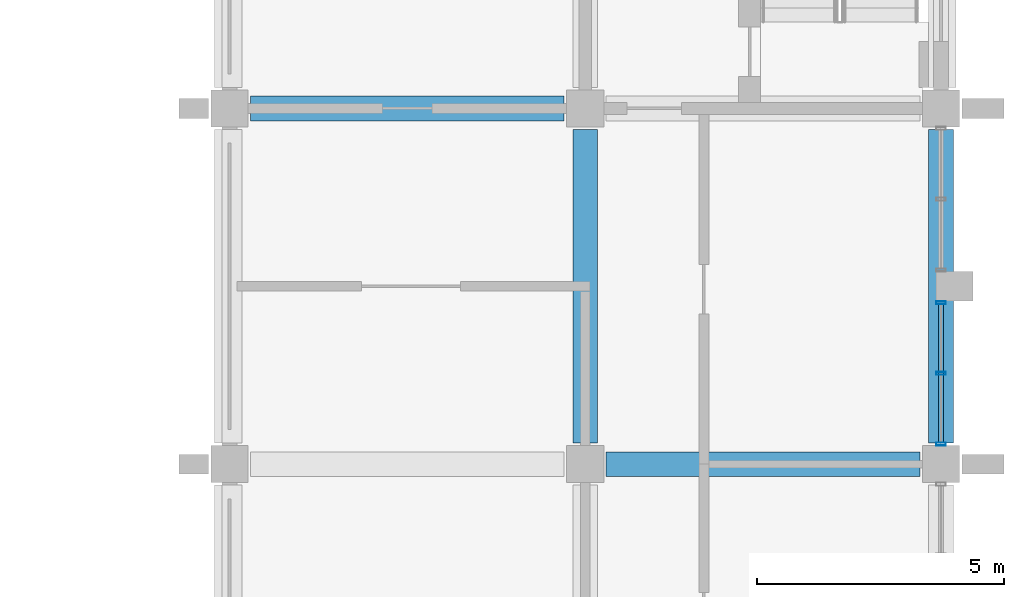
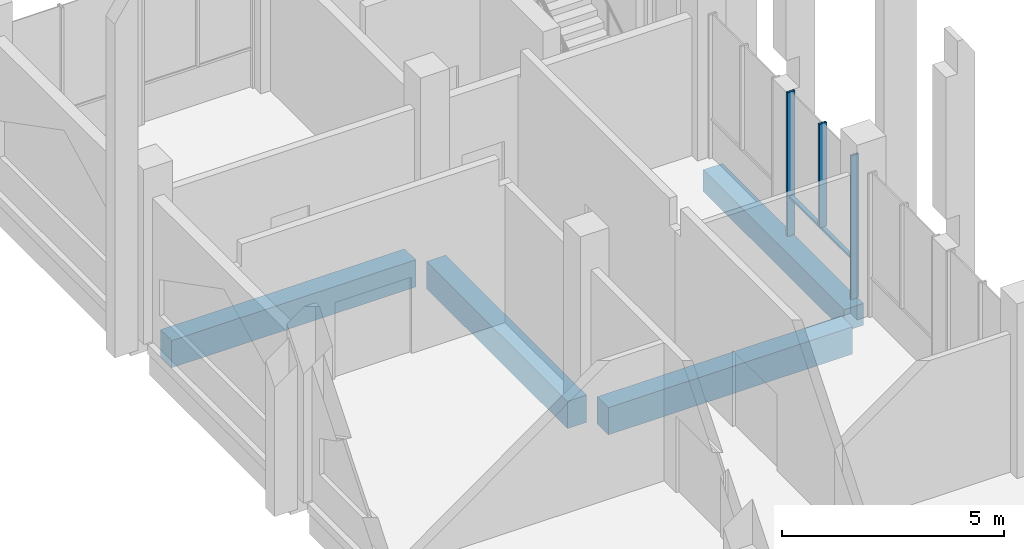
# One storey, part 21 of 40: 4 beams, 4 members, 1 element without a shape of its own.
"""IFC4 building model written with IfcOpenShell, lengths in metres."""

from ifc_helpers import new_model, si_unit, direction, frame, origin, origin_2d, place, context, subcontext, project, spatial, rectangle, hollow_rectangle, extrude, material, material_profile, profile_set, type_object, element, aggregate, save


model = new_model("IFC4")

# Units and contexts
model_context = context("Model", 3, precision=1e-05, world=origin(), true_north=direction((0.0, 1.0)))
body_context = subcontext(model_context, "Body", "Model", "MODEL_VIEW")
ifc_project = project(units=[si_unit("LENGTHUNIT", "METRE"), si_unit("AREAUNIT", "SQUARE_METRE"), si_unit("VOLUMEUNIT", "CUBIC_METRE"), si_unit("PLANEANGLEUNIT", "RADIAN"), si_unit("MASSUNIT", "GRAM", prefix="KILO")], contexts=[model_context])

# Site, building, storey
site_placement = place(None, origin())
site = spatial("IfcSite", under=ifc_project, at=site_placement, CompositionType="ELEMENT")
building_placement = place(site_placement, origin())
building = spatial("IfcBuilding", under=site, at=building_placement, Name="Silangan Lancet Faculty of Sciences", CompositionType="ELEMENT")
storey_placement = place(building_placement, frame((0.0, 0.0, 21.60009765625)))
storey = spatial("IfcBuildingStorey", under=building, at=storey_placement, Name="L04", CompositionType="ELEMENT", Elevation=21.60009765625)

# Beams
ifc_material_1 = material(Name="Concrete C40/50", Category="concrete")
ifc_material_profile_1 = material_profile(ifc_material_1, rectangle(XDim=0.5, YDim=0.60009765625, at=origin_2d()), Name="RC 500x600")
ifc_profile_set_1 = profile_set([ifc_material_profile_1], Name="Concrete C40/50")
beam_type_1 = type_object("IfcBeamType", Name="BEAM RC 500x600", PredefinedType="BEAM", material=ifc_profile_set_1)
beam_1_placement = place(storey_placement, frame((86.39990234375, 43.625, -0.550048828125), z_axis=(0.0, 1.0, 0.0), x_axis=(-1.0, 0.0, 0.0)))
element("IfcBeam", 1, at=beam_1_placement, inside=storey, type_object=beam_type_1, Name="BM-L04-13G-13H", PredefinedType="BEAM", context=body_context, shape_type="SweptSolid", body=[
    extrude(rectangle(XDim=0.5, YDim=0.60009765625, at=origin_2d()), origin(), (0.0, 0.0, 1.0), 6.35009765625),
])
ifc_material_2 = material(Name="Concrete C40/50", Category="concrete")
ifc_material_profile_2 = material_profile(ifc_material_2, rectangle(XDim=0.5, YDim=0.75, at=origin_2d()), Name="RC 500x750")
ifc_profile_set_2 = profile_set([ifc_material_profile_2], Name="Concrete C40/50")
beam_type_2 = type_object("IfcBeamType", Name="BEAM RC 500x750", PredefinedType="BEAM", material=ifc_profile_set_2)
beam_2_placement = place(storey_placement, frame((79.625, 43.199951171875, -0.625), z_axis=(1.0, 0.0, 0.0), x_axis=(0.0, 1.0, 0.0)))
element("IfcBeam", 2, at=beam_2_placement, inside=storey, type_object=beam_type_2, Name="BM-L04-12G-13G", PredefinedType="BEAM", context=body_context, shape_type="SweptSolid", body=[
    extrude(rectangle(XDim=0.5, YDim=0.75, at=origin_2d()), origin(), (0.0, 0.0, 1.0), 6.35009765625),
])
beam_3_placement = place(storey_placement, frame((72.425048828125, 50.39990234375, -0.625), z_axis=(1.0, 0.0, 0.0), x_axis=(0.0, 1.0, 0.0)))
element("IfcBeam", 3, at=beam_3_placement, inside=storey, type_object=beam_type_2, Name="BM-L04-11H-12H", PredefinedType="BEAM", context=body_context, shape_type="SweptSolid", body=[
    extrude(rectangle(XDim=0.5, YDim=0.75, at=origin_2d()), origin(), (0.0, 0.0, 1.0), 6.349853515625),
])
beam_4_placement = place(storey_placement, frame((79.199951171875, 43.625, -0.625), z_axis=(0.0, 1.0, 0.0), x_axis=(-1.0, 0.0, 0.0)))
element("IfcBeam", 4, at=beam_4_placement, inside=storey, type_object=beam_type_2, Name="BM-L04-12G-12H", PredefinedType="BEAM", context=body_context, shape_type="SweptSolid", body=[
    extrude(rectangle(XDim=0.5, YDim=0.75, at=origin_2d()), origin(), (0.0, 0.0, 1.0), 6.35009765625),
])

# Curtain wall, members
ifc_material_3 = material(Name="Aluminium framed curtain wall with insulated glass", Category="aluminium")
curtain_wall_type = type_object("IfcCurtainWallType", Name="CW1 Commons and east block glazing", PredefinedType="NOTDEFINED", material=ifc_material_3)
curtain_wall_placement = place(storey_placement, origin())
curtain_wall = element("IfcCurtainWall", 5, at=curtain_wall_placement, inside=storey, type_object=curtain_wall_type, Name="CW1 East commons L04 bay 11", PredefinedType="NOTDEFINED")
ifc_material_4 = material(Name="Aluminium 6063-T6 extrusion", Category="aluminium")
ifc_material_profile_3 = material_profile(ifc_material_4, hollow_rectangle(XDim=0.06005859375, YDim=0.199951171875, WallThickness=0.00390625, at=origin_2d()), Name="AL BOX 60x200x4")
ifc_profile_set_3 = profile_set([ifc_material_profile_3], Name="Aluminium 6063-T6 extrusion")
member_type_1 = type_object("IfcMemberType", Name="CM1 Mullion 60x200", PredefinedType="MULLION", material=ifc_profile_set_3)
member_1_placement = place(storey_placement, frame((86.39990234375, 43.60498046875, 0.0), z_axis=(0.0, 0.0, 1.0), x_axis=(0.0, 1.0, 0.0)))
member_1 = element("IfcMember", 6, at=member_1_placement, type_object=member_type_1, Name="CW1 East commons L04 bay 11 mullion 1", PredefinedType="MULLION", context=body_context, shape_type="SweptSolid", body=[
    extrude(hollow_rectangle(XDim=0.06005859375, YDim=0.199951171875, WallThickness=0.00390625, at=origin_2d()), origin(), (0.0, 0.0, 1.0), 3.949951171875),
])
member_2_placement = place(storey_placement, frame((86.39990234375, 46.469970703125, 0.0), z_axis=(0.0, 0.0, 1.0), x_axis=(0.0, 1.0, 0.0)))
member_2 = element("IfcMember", 7, at=member_2_placement, type_object=member_type_1, Name="CW1 East commons L04 bay 11 mullion 2", PredefinedType="MULLION", context=body_context, shape_type="SweptSolid", body=[
    extrude(hollow_rectangle(XDim=0.06005859375, YDim=0.199951171875, WallThickness=0.00390625, at=origin_2d()), origin(), (0.0, 0.0, 1.0), 3.949951171875),
])
member_3_placement = place(storey_placement, frame((86.39990234375, 45.03759765625, 1.099853515625), z_axis=(0.0, 0.0, 1.0), x_axis=(0.0, 1.0, 0.0)))
member_3 = element("IfcMember", 8, at=member_3_placement, type_object=member_type_1, Name="CW1 East commons L04 bay 11 mullion 3", PredefinedType="MULLION", context=body_context, shape_type="SweptSolid", body=[
    extrude(hollow_rectangle(XDim=0.06005859375, YDim=0.199951171875, WallThickness=0.00390625, at=origin_2d()), origin(), (0.0, 0.0, 1.0), 2.85009765625),
])
ifc_material_5 = material(Name="Aluminium 6063-T6 extrusion", Category="aluminium")
ifc_material_profile_4 = material_profile(ifc_material_5, hollow_rectangle(XDim=0.10009765625, YDim=0.06005859375, WallThickness=0.0029296875, at=origin_2d()), Name="AL BOX 100x60x3")
ifc_profile_set_4 = profile_set([ifc_material_profile_4], Name="Aluminium 6063-T6 extrusion")
member_type_2 = type_object("IfcMemberType", Name="CT1 Transom 100x60", PredefinedType="USERDEFINED", material=ifc_profile_set_4)
member_4_placement = place(storey_placement, frame((86.39990234375, 43.635009765625, 1.06982421875), z_axis=(0.0, 1.0, 0.0), x_axis=(-1.0, 0.0, 0.0)))
member_4 = element("IfcMember", 9, at=member_4_placement, type_object=member_type_2, Name="CW1 East commons L04 bay 11 transom 1", ObjectType="TRANSOM", PredefinedType="USERDEFINED", context=body_context, shape_type="SweptSolid", body=[
    extrude(hollow_rectangle(XDim=0.10009765625, YDim=0.06005859375, WallThickness=0.0029296875, at=origin_2d()), origin(), (0.0, 0.0, 1.0), 2.804931640625),
])
aggregate(curtain_wall, [member_1, member_2, member_3, member_4])

save(model, "model.ifc")
